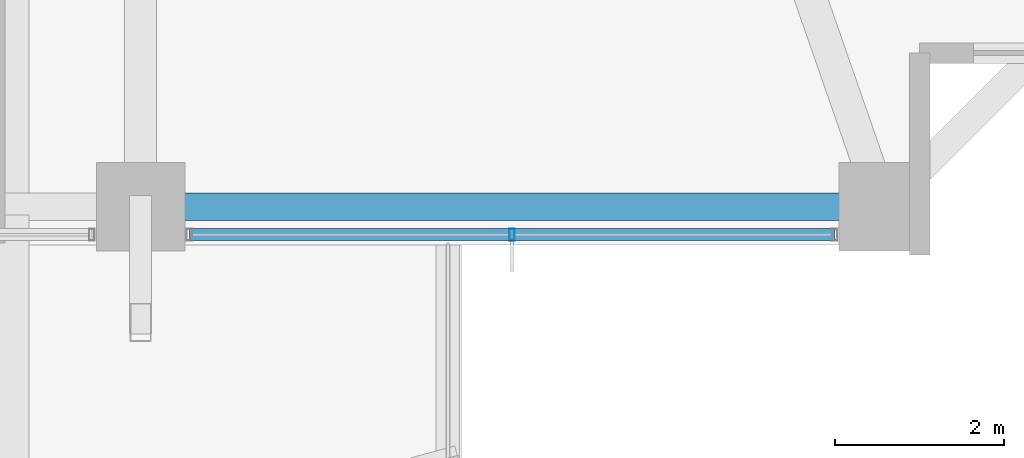
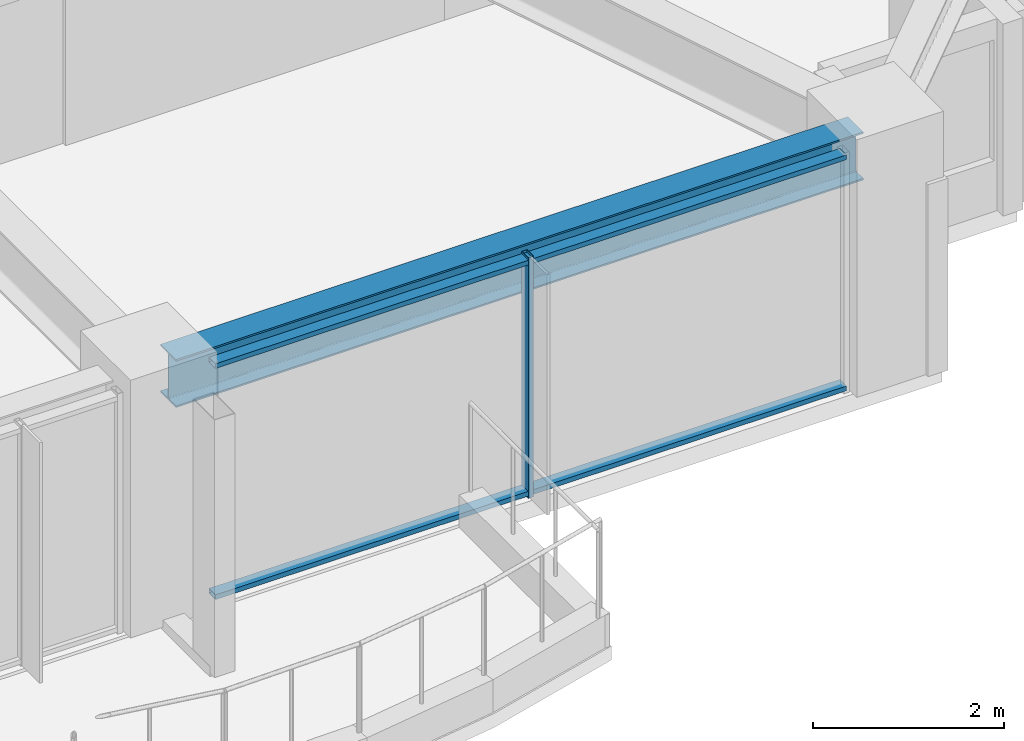
# One storey, part 6 of 38: 3 members, 1 beam, 1 element without a shape of its own.
"""IFC4 building model written with IfcOpenShell, lengths in metres."""

from ifc_helpers import new_model, si_unit, direction, frame, origin, origin_2d, place, context, subcontext, project, spatial, hollow_rectangle, i_section, extrude, material, material_profile, profile_set, type_object, element, aggregate, save


model = new_model("IFC4")

# Units and contexts
model_context = context("Model", 3, precision=1e-05, world=origin(), true_north=direction((0.0, 1.0)))
body_context = subcontext(model_context, "Body", "Model", "MODEL_VIEW")
ifc_project = project(units=[si_unit("LENGTHUNIT", "METRE"), si_unit("AREAUNIT", "SQUARE_METRE"), si_unit("VOLUMEUNIT", "CUBIC_METRE"), si_unit("PLANEANGLEUNIT", "RADIAN"), si_unit("MASSUNIT", "GRAM", prefix="KILO")], contexts=[model_context])

# Site, building, storey
site_placement = place(None, origin())
site = spatial("IfcSite", under=ifc_project, at=site_placement, CompositionType="ELEMENT")
building_placement = place(site_placement, origin())
building = spatial("IfcBuilding", under=site, at=building_placement, Name="Kolvaren Belvedere", CompositionType="ELEMENT")
storey_placement = place(building_placement, frame((0.0, 0.0, 78.800048828125)))
storey = spatial("IfcBuildingStorey", under=building, at=storey_placement, Name="L22", CompositionType="ELEMENT", Elevation=78.800048828125)

# Beam
ifc_material_1 = material(Name="Structural steel ASTM A992 Grade 50", Category="steel")
ifc_material_profile_1 = material_profile(ifc_material_1, i_section(OverallWidth=0.324951171875, OverallDepth=0.615966796875, WebThickness=0.013916015625, FlangeThickness=0.021484375, FilletRadius=0.02001953125, at=origin_2d()), Name="W24X117")
ifc_profile_set_1 = profile_set([ifc_material_profile_1], Name="Structural steel ASTM A992 Grade 50")
beam_type = type_object("IfcBeamType", Name="BM-SPAN-W24X117", PredefinedType="SPANDREL", material=ifc_profile_set_1)
beam_placement = place(storey_placement, frame((4.836181640625, -19.949951171875, 2.77197265625), z_axis=(1.0, 0.0, 0.0), x_axis=(0.0, 1.0, 0.0)))
element("IfcBeam", 1, at=beam_placement, inside=storey, type_object=beam_type, Name="L22 Perimeter Spandrel S3-S4", PredefinedType="SPANDREL", context=body_context, shape_type="SweptSolid", body=[
    extrude(i_section(OverallWidth=0.324951171875, OverallDepth=0.615966796875, WebThickness=0.013916015625, FlangeThickness=0.021484375, FilletRadius=0.02001953125, at=origin_2d()), origin(), (0.0, 0.0, 1.0), 8.32763671875),
])

# Curtain wall, members
ifc_material_2 = material(Name="Anodised pale-metal aluminium AA 6063-T6", Category="aluminium")
curtain_wall_type = type_object("IfcCurtainWallType", Name="CW-Z2-MID", PredefinedType="NOTDEFINED", material=ifc_material_2)
curtain_wall_placement = place(storey_placement, origin())
curtain_wall = element("IfcCurtainWall", 2, at=curtain_wall_placement, inside=storey, type_object=curtain_wall_type, Name="L22 Unitised Curtain Wall FCW-L22-S1-B1", PredefinedType="NOTDEFINED")
ifc_material_3 = material(Name="Anodised pale-metal aluminium AA 6063-T6", Category="aluminium")
ifc_material_profile_2 = material_profile(ifc_material_3, hollow_rectangle(XDim=0.06494140625, YDim=0.139892578125, WallThickness=0.00390625, at=origin_2d()), Name="ALU-MUL-140X65")
ifc_profile_set_2 = profile_set([ifc_material_profile_2], Name="Anodised pale-metal aluminium AA 6063-T6")
member_type_1 = type_object("IfcMemberType", Name="CW-MUL-140", PredefinedType="MULLION", material=ifc_profile_set_2)
member_1_placement = place(storey_placement, frame((9.0, -20.280029296875, 0.0), z_axis=(0.0, 0.0, 1.0), x_axis=(1.0, 0.0, 0.0)))
member_1 = element("IfcMember", 3, at=member_1_placement, type_object=member_type_1, Name="FCW-L22-S1-B1 Unitised Mullion 2", PredefinedType="MULLION", context=body_context, shape_type="SweptSolid", body=[
    extrude(hollow_rectangle(XDim=0.06494140625, YDim=0.139892578125, WallThickness=0.00390625, at=origin_2d()), origin(), (0.0, 0.0, 1.0), 3.079833984375),
])
ifc_material_4 = material(Name="Anodised pale-metal aluminium AA 6063-T6", Category="aluminium")
ifc_material_profile_3 = material_profile(ifc_material_4, hollow_rectangle(XDim=0.06005859375, YDim=0.139892578125, WallThickness=0.00390625, at=origin_2d()), Name="ALU-TRN-140X60")
ifc_profile_set_3 = profile_set([ifc_material_profile_3], Name="Anodised pale-metal aluminium AA 6063-T6")
member_type_2 = type_object("IfcMemberType", Name="CW-TRN-140", PredefinedType="USERDEFINED", material=ifc_profile_set_3)
member_2_placement = place(storey_placement, frame((12.822509765625, -20.280029296875, 0.06005859375), z_axis=(-1.0, 0.0, 0.0), x_axis=(0.0, 0.0, 1.0)))
member_2 = element("IfcMember", 4, at=member_2_placement, type_object=member_type_2, Name="FCW-L22-S1-B1 Sill Transom", ObjectType="TRANSOM", PredefinedType="USERDEFINED", context=body_context, shape_type="SweptSolid", body=[
    extrude(hollow_rectangle(XDim=0.06005859375, YDim=0.139892578125, WallThickness=0.00390625, at=origin_2d()), origin(), (0.0, 0.0, 1.0), 7.64501953125),
])
member_3_placement = place(storey_placement, frame((12.822509765625, -20.280029296875, 3.02001953125), z_axis=(-1.0, 0.0, 0.0), x_axis=(0.0, 0.0, 1.0)))
member_3 = element("IfcMember", 5, at=member_3_placement, type_object=member_type_2, Name="FCW-L22-S1-B1 Head Transom", ObjectType="TRANSOM", PredefinedType="USERDEFINED", context=body_context, shape_type="SweptSolid", body=[
    extrude(hollow_rectangle(XDim=0.06005859375, YDim=0.139892578125, WallThickness=0.00390625, at=origin_2d()), origin(), (0.0, 0.0, 1.0), 7.64501953125),
])
aggregate(curtain_wall, [member_1, member_2, member_3])

save(model, "model.ifc")
